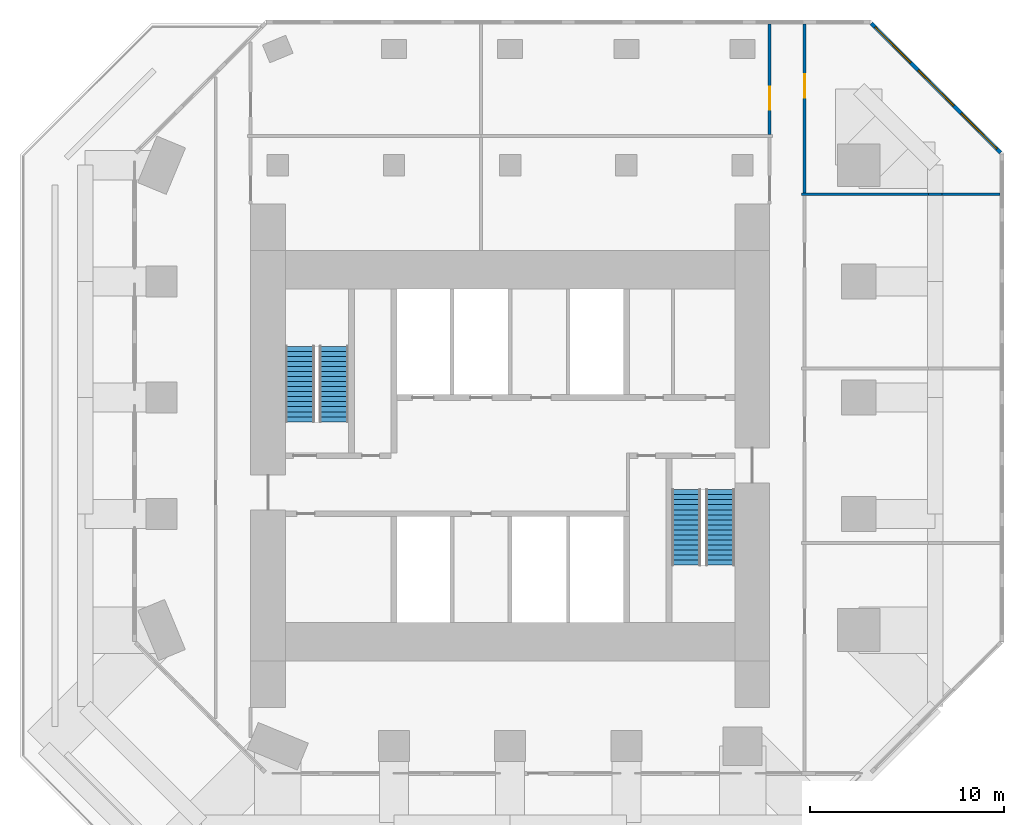
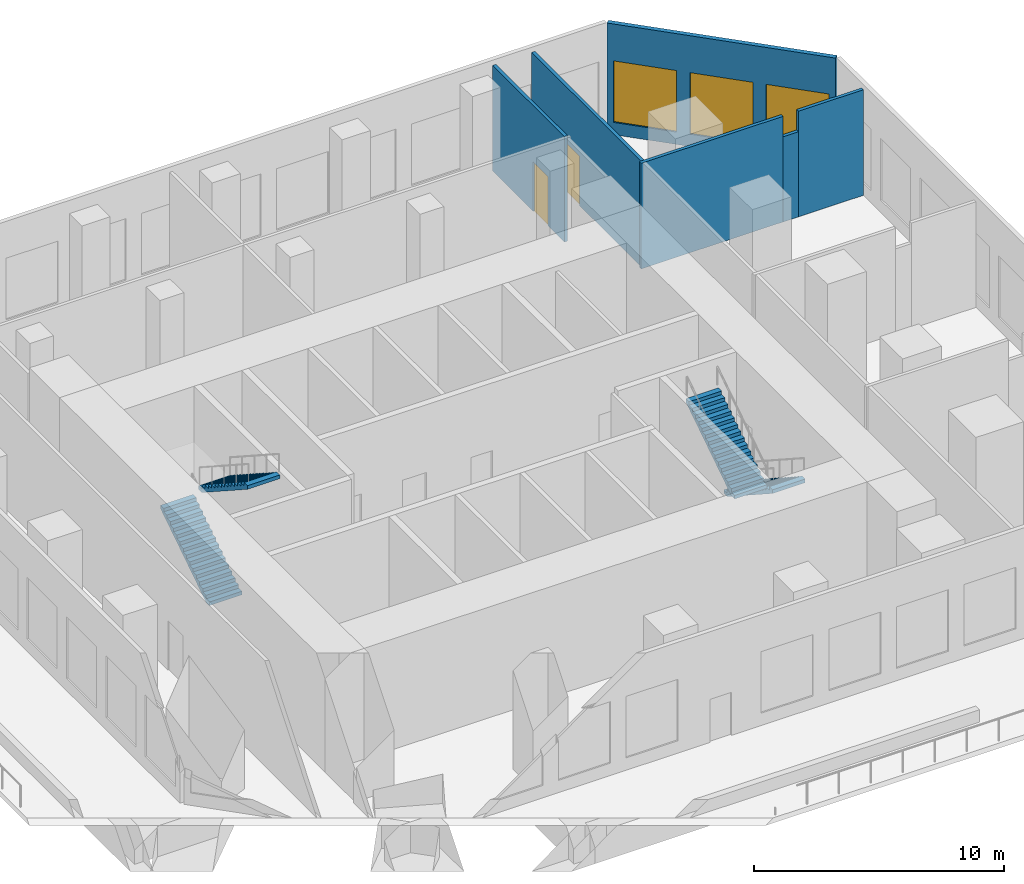
# One storey, part 5 of 6: 6 walls, 4 stair flights, 3 windows, 2 doors, 5 openings, 2 elements without a shape of their own.
"""IFC4 building model written with IfcOpenShell, lengths in metres."""

from ifc_helpers import new_model, si_unit, direction, frame, frame_2d, origin, place, context, subcontext, project, spatial, polyline, rectangle, outline, extrude, material, layer, layer_set, type_object, element, fill, aggregate, save


model = new_model("IFC4")

# Units and contexts
model_context = context("Model", 3, precision=1e-05, world=origin(), true_north=direction((0.0, 1.0)))
body_context = subcontext(model_context, "Body", "Model", "MODEL_VIEW")
ifc_project = project(units=[si_unit("LENGTHUNIT", "METRE"), si_unit("AREAUNIT", "SQUARE_METRE"), si_unit("VOLUMEUNIT", "CUBIC_METRE"), si_unit("PLANEANGLEUNIT", "RADIAN"), si_unit("MASSUNIT", "GRAM", prefix="KILO")], contexts=[model_context])

# Site, building, storey
site_placement = place(None, origin())
site = spatial("IfcSite", under=ifc_project, at=site_placement, CompositionType="ELEMENT")
building_placement = place(site_placement, origin())
building = spatial("IfcBuilding", under=site, at=building_placement, Name="Highveld Stack Headquarters", CompositionType="ELEMENT")
storey_placement = place(building_placement, frame((0.0, 0.0, 239.60009765625)))
storey = spatial("IfcBuildingStorey", under=building, at=storey_placement, Name="L59", CompositionType="ELEMENT", Elevation=239.60009765625)

# Wall, opening, door
ifc_material_1 = material(Name="Concrete blockwork, plastered", Category="masonry")
ifc_layer_1 = layer(ifc_material_1, 0.14990234375)
ifc_layer_set_1 = layer_set([ifc_layer_1], Name="Concrete blockwork, plastered")
wall_type_1 = type_object("IfcWallType", Name="FIRE PARTITION 150 BLOCKWORK", PredefinedType="PARTITIONING", material=ifc_layer_set_1)
wall_1_placement = place(storey_placement, frame((19.39990234375, 19.574951171875, 0.0), z_axis=(0.0, 0.0, 1.0), x_axis=(0.0, 1.0, 0.0)))
wall_1 = element("IfcWall", 1, at=wall_1_placement, inside=storey, type_object=wall_type_1, Name="Partition office neighbourhood L59", PredefinedType="PARTITIONING", context=body_context, shape_type="SweptSolid", body=[
    extrude(rectangle(XDim=5.72509765625, YDim=0.14990234375, at=frame_2d((2.862548828125, 0.0))), origin(), (0.0, 0.0, 1.0), 5.14990234375),
])
opening_1_placement = place(wall_1_placement, frame((1.284912109375, 0.0, 0.0)))
opening_1 = element("IfcOpeningElement", 2, at=opening_1_placement, cuts=wall_1, Name="Opening L59-19", PredefinedType="OPENING", context=body_context, shape_type="SweptSolid", body=[
    extrude(rectangle(XDim=1.199951171875, YDim=2.39990234375, at=frame_2d((0.60009765625, 1.199951171875))), frame((0.0, 0.0849609375, 0.0), z_axis=(0.0, -1.0, 0.0), x_axis=(1.0, 0.0, 0.0)), (0.0, 0.0, 1.0), 0.169921875),
])
ifc_material_2 = material(Name="Steel fire door", Category="steel")
door_type = type_object("IfcDoorType", Name="PLANT FIRE DOOR D7 1200x2400", OperationType="SINGLE_SWING_LEFT", PredefinedType="DOOR", material=ifc_material_2)
door_1_placement = place(opening_1_placement, origin())
door_1 = element("IfcDoor", 3, at=door_1_placement, inside=storey, type_object=door_type, Name="Plant room door L59", OperationType="SINGLE_SWING_LEFT", OverallHeight=2.39990234375, OverallWidth=1.199951171875, PredefinedType="DOOR", context=body_context, shape_type="SweptSolid", body=[
    extrude(rectangle(XDim=1.199951171875, YDim=2.39990234375, at=frame_2d((0.60009765625, 1.199951171875))), frame((0.0, 0.02490234375, 0.0), z_axis=(0.0, -1.0, 0.0), x_axis=(1.0, 0.0, 0.0)), (0.0, 0.0, 1.0), 0.050048828125),
])
fill(opening_1, door_1)

wall_2_placement = place(storey_placement, frame((21.199951171875, 16.574951171875, 0.0), z_axis=(0.0, 0.0, 1.0), x_axis=(0.0, 1.0, 0.0)))
wall_2 = element("IfcWall", 4, at=wall_2_placement, inside=storey, type_object=wall_type_1, Name="Partition office neighbourhood L59", PredefinedType="PARTITIONING", context=body_context, shape_type="SweptSolid", body=[
    extrude(rectangle(XDim=8.72509765625, YDim=0.14990234375, at=frame_2d((4.362548828125, 0.0))), origin(), (0.0, 0.0, 1.0), 5.14990234375),
])
opening_2_placement = place(wall_2_placement, frame((4.9150390625, 0.0, 0.0)))
opening_2 = element("IfcOpeningElement", 5, at=opening_2_placement, cuts=wall_2, Name="Opening L59-17", PredefinedType="OPENING", context=body_context, shape_type="SweptSolid", body=[
    extrude(rectangle(XDim=1.199951171875, YDim=2.39990234375, at=frame_2d((0.60009765625, 1.199951171875))), frame((0.0, 0.0849609375, 0.0), z_axis=(0.0, -1.0, 0.0), x_axis=(1.0, 0.0, 0.0)), (0.0, 0.0, 1.0), 0.169921875),
])
door_2_placement = place(opening_2_placement, origin())
door_2 = element("IfcDoor", 6, at=door_2_placement, inside=storey, type_object=door_type, Name="Plant room door L59", OperationType="SINGLE_SWING_RIGHT", OverallHeight=2.39990234375, OverallWidth=1.199951171875, PredefinedType="DOOR", context=body_context, shape_type="SweptSolid", body=[
    extrude(rectangle(XDim=1.199951171875, YDim=2.39990234375, at=frame_2d((0.60009765625, 1.199951171875))), frame((0.0, 0.02490234375, 0.0), z_axis=(0.0, -1.0, 0.0), x_axis=(1.0, 0.0, 0.0)), (0.0, 0.0, 1.0), 0.050048828125),
])
fill(opening_2, door_2)

# Walls
wall_3_placement = place(storey_placement, frame((21.050048828125, 16.5, 0.0), z_axis=(0.0, 0.0, 1.0), x_axis=(1.0, 0.0, 0.0)))
element("IfcWall", 7, at=wall_3_placement, inside=storey, type_object=wall_type_1, Name="Partition office neighbourhood L59", PredefinedType="PARTITIONING", context=body_context, shape_type="SweptSolid", body=[
    extrude(rectangle(XDim=6.5400390625, YDim=0.14990234375, at=frame_2d((3.27001953125, 0.0))), origin(), (0.0, 0.0, 1.0), 5.14990234375),
])
wall_4_placement = place(storey_placement, frame((27.590087890625, 16.5, 0.0), z_axis=(0.0, 0.0, 1.0), x_axis=(1.0, 0.0, 0.0)))
element("IfcWall", 8, at=wall_4_placement, inside=storey, type_object=wall_type_1, Name="Partition office neighbourhood L59", PredefinedType="PARTITIONING", context=body_context, shape_type="SweptSolid", body=[
    extrude(rectangle(XDim=0.719970703125, YDim=0.14990234375, at=frame_2d((0.35986328125, 0.0))), origin(), (0.0, 0.0, 1.0), 4.14990234375),
])
wall_5_placement = place(storey_placement, frame((28.31005859375, 16.5, 0.0), z_axis=(0.0, 0.0, 1.0), x_axis=(1.0, 0.0, 0.0)))
element("IfcWall", 9, at=wall_5_placement, inside=storey, type_object=wall_type_1, Name="Partition office neighbourhood L59", PredefinedType="PARTITIONING", context=body_context, shape_type="SweptSolid", body=[
    extrude(rectangle(XDim=2.989990234375, YDim=0.14990234375, at=frame_2d((1.4951171875, 0.0))), origin(), (0.0, 0.0, 1.0), 5.14990234375),
])

# Wall, openings, windows
ifc_material_3 = material(Name="Concrete C40/50, precast cladding", Category="concrete")
ifc_layer_2 = layer(ifc_material_3, 0.199951171875)
ifc_layer_set_2 = layer_set([ifc_layer_2], Name="Concrete C40/50, precast cladding")
wall_type_2 = type_object("IfcWallType", Name="PRECAST LOUVRE WALL 200", PredefinedType="USERDEFINED", material=ifc_layer_set_2)
wall_6_placement = place(storey_placement, frame((31.329345703125, 18.650634765625, 0.0), z_axis=(0.0, 0.0, 1.0), x_axis=(-0.707106781187, 0.707106781187, 0.0)))
wall_6 = element("IfcWall", 10, at=wall_6_placement, inside=storey, type_object=wall_type_2, Name="Precast louvre wall L59 NE", ObjectType="PRECAST CLADDING", PredefinedType="USERDEFINED", context=body_context, shape_type="SweptSolid", body=[
    extrude(rectangle(XDim=9.445068359375, YDim=0.199951171875, at=frame_2d((4.72265625, 0.0))), origin(), (0.0, 0.0, 1.0), 5.39990234375),
])
opening_3_placement = place(wall_6_placement, frame((0.274169921875, 0.0, 0.60009765625)))
opening_3 = element("IfcOpeningElement", 11, at=opening_3_placement, cuts=wall_6, Name="Opening L2", PredefinedType="OPENING", context=body_context, shape_type="SweptSolid", body=[
    extrude(rectangle(XDim=2.60009765625, YDim=3.0, at=frame_2d((1.300048828125, 1.5))), frame((0.0, 0.10986328125, 0.0), z_axis=(0.0, -1.0, 0.0), x_axis=(1.0, 0.0, 0.0)), (0.0, 0.0, 1.0), 0.219970703125),
])
opening_4_placement = place(wall_6_placement, frame((3.422607421875, 0.0, 0.60009765625)))
opening_4 = element("IfcOpeningElement", 12, at=opening_4_placement, cuts=wall_6, Name="Opening L2", PredefinedType="OPENING", context=body_context, shape_type="SweptSolid", body=[
    extrude(rectangle(XDim=2.60009765625, YDim=3.0, at=frame_2d((1.300048828125, 1.5))), frame((0.0, 0.10986328125, 0.0), z_axis=(0.0, -1.0, 0.0), x_axis=(1.0, 0.0, 0.0)), (0.0, 0.0, 1.0), 0.219970703125),
])
opening_5_placement = place(wall_6_placement, frame((6.57080078125, 0.0, 0.60009765625)))
opening_5 = element("IfcOpeningElement", 13, at=opening_5_placement, cuts=wall_6, Name="Opening L2", PredefinedType="OPENING", context=body_context, shape_type="SweptSolid", body=[
    extrude(rectangle(XDim=2.60009765625, YDim=3.0, at=frame_2d((1.300048828125, 1.5))), frame((0.0, 0.10986328125, 0.0), z_axis=(0.0, -1.0, 0.0), x_axis=(1.0, 0.0, 0.0)), (0.0, 0.0, 1.0), 0.219970703125),
])
ifc_material_4 = material(Name="Aluminium bronze anodised", Category="aluminium")
window_type = type_object("IfcWindowType", Name="LOUVRE L2 2400x3000 CHAMFER", PartitioningType="SINGLE_PANEL", PredefinedType="USERDEFINED", material=ifc_material_4)
window_1_placement = place(opening_3_placement, origin())
window_1 = element("IfcWindow", 14, at=window_1_placement, inside=storey, type_object=window_type, Name="Louvre L59 NE 1", ObjectType="LOUVRE", OverallHeight=3.0, OverallWidth=2.60009765625, PartitioningType="SINGLE_PANEL", PredefinedType="USERDEFINED", context=body_context, shape_type="SweptSolid", body=[
    extrude(rectangle(XDim=2.60009765625, YDim=3.0, at=frame_2d((1.300048828125, 1.5))), frame((0.0, 0.030029296875, 0.0), z_axis=(0.0, -1.0, 0.0), x_axis=(1.0, 0.0, 0.0)), (0.0, 0.0, 1.0), 0.06005859375),
])
fill(opening_3, window_1)
window_2_placement = place(opening_4_placement, origin())
window_2 = element("IfcWindow", 15, at=window_2_placement, inside=storey, type_object=window_type, Name="Louvre L59 NE 2", ObjectType="LOUVRE", OverallHeight=3.0, OverallWidth=2.60009765625, PartitioningType="SINGLE_PANEL", PredefinedType="USERDEFINED", context=body_context, shape_type="SweptSolid", body=[
    extrude(rectangle(XDim=2.60009765625, YDim=3.0, at=frame_2d((1.300048828125, 1.5))), frame((0.0, 0.030029296875, 0.0), z_axis=(0.0, -1.0, 0.0), x_axis=(1.0, 0.0, 0.0)), (0.0, 0.0, 1.0), 0.06005859375),
])
fill(opening_4, window_2)
window_3_placement = place(opening_5_placement, origin())
window_3 = element("IfcWindow", 16, at=window_3_placement, inside=storey, type_object=window_type, Name="Louvre L59 NE 3", ObjectType="LOUVRE", OverallHeight=3.0, OverallWidth=2.60009765625, PartitioningType="SINGLE_PANEL", PredefinedType="USERDEFINED", context=body_context, shape_type="SweptSolid", body=[
    extrude(rectangle(XDim=2.60009765625, YDim=3.0, at=frame_2d((1.300048828125, 1.5))), frame((0.0, 0.030029296875, 0.0), z_axis=(0.0, -1.0, 0.0), x_axis=(1.0, 0.0, 0.0)), (0.0, 0.0, 1.0), 0.06005859375),
])
fill(opening_5, window_3)

# Stair, stair flights
ifc_material_5 = material(Name="Concrete C40/50, precast", Category="concrete")
stair_type_1 = type_object("IfcStairType", Name="STAIR S1 HALF TURN 1500", PredefinedType="HALF_TURN_STAIR", material=ifc_material_5)
stair_1_placement = place(storey_placement, origin())
stair_1 = element("IfcStair", 17, at=stair_1_placement, inside=storey, type_object=stair_type_1, Name="Stair S1 L59", PredefinedType="HALF_TURN_STAIR")
ifc_material_6 = material(Name="Concrete C40/50, precast", Category="concrete")
stair_flight_type = type_object("IfcStairFlightType", Name="STAIR FLIGHT 1500 PRECAST", PredefinedType="STRAIGHT", material=ifc_material_6)
stair_flight_1_placement = place(storey_placement, frame((-4.85009765625, 4.75, 0.0), z_axis=(0.0, 0.0, 1.0), x_axis=(0.0, 1.0, 0.0)))
stair_flight_1 = element("IfcStairFlight", 18, at=stair_flight_1_placement, type_object=stair_flight_type, Name="S1 flight 1", NumberOfRisers=16, NumberOfTreads=15, PredefinedType="STRAIGHT", RiserHeight=0.16875, TreadLength=0.26, context=body_context, shape_type="SweptSolid", body=[
    extrude(outline(polyline([(0.0, 0.0), (0.0, 0.168701171875), (0.260009765625, 0.168701171875), (0.260009765625, 0.33740234375), (0.52001953125, 0.33740234375), (0.52001953125, 0.50634765625), (0.780029296875, 0.50634765625), (0.780029296875, 0.675048828125), (1.0400390625, 0.675048828125), (1.0400390625, 0.84375), (1.300048828125, 0.84375), (1.300048828125, 1.012451171875), (1.56005859375, 1.012451171875), (1.56005859375, 1.18115234375), (1.820068359375, 1.18115234375), (1.820068359375, 1.35009765625), (2.080078125, 1.35009765625), (2.080078125, 1.518798828125), (2.340087890625, 1.518798828125), (2.340087890625, 1.6875), (2.60009765625, 1.6875), (2.60009765625, 1.856201171875), (2.860107421875, 1.856201171875), (2.860107421875, 2.02490234375), (3.1201171875, 2.02490234375), (3.1201171875, 2.19384765625), (3.3798828125, 2.19384765625), (3.3798828125, 2.362548828125), (3.639892578125, 2.362548828125), (3.639892578125, 2.53125), (3.89990234375, 2.53125), (3.89990234375, 2.699951171875), (3.89990234375, 2.3525390625), (0.275390625, 0.0), (0.0, 0.0)])), frame((0.0, 0.75, 0.0), z_axis=(0.0, -1.0, 0.0), x_axis=(1.0, 0.0, 0.0)), (0.0, 0.0, 1.0), 1.5),
])
stair_flight_2_placement = place(storey_placement, frame((-3.10009765625, 8.64990234375, 2.699951171875), z_axis=(0.0, 0.0, 1.0), x_axis=(0.0, -1.0, 0.0)))
stair_flight_2 = element("IfcStairFlight", 19, at=stair_flight_2_placement, type_object=stair_flight_type, Name="S1 flight 2", NumberOfRisers=16, NumberOfTreads=15, PredefinedType="STRAIGHT", RiserHeight=0.16875, TreadLength=0.26, context=body_context, shape_type="SweptSolid", body=[
    extrude(outline(polyline([(0.0, 0.0), (0.0, 0.168701171875), (0.260009765625, 0.168701171875), (0.260009765625, 0.33740234375), (0.52001953125, 0.33740234375), (0.52001953125, 0.50634765625), (0.780029296875, 0.50634765625), (0.780029296875, 0.675048828125), (1.0400390625, 0.675048828125), (1.0400390625, 0.84375), (1.300048828125, 0.84375), (1.300048828125, 1.012451171875), (1.56005859375, 1.012451171875), (1.56005859375, 1.18115234375), (1.820068359375, 1.18115234375), (1.820068359375, 1.35009765625), (2.080078125, 1.35009765625), (2.080078125, 1.518798828125), (2.340087890625, 1.518798828125), (2.340087890625, 1.6875), (2.60009765625, 1.6875), (2.60009765625, 1.856201171875), (2.860107421875, 1.856201171875), (2.860107421875, 2.02490234375), (3.1201171875, 2.02490234375), (3.1201171875, 2.19384765625), (3.3798828125, 2.19384765625), (3.3798828125, 2.362548828125), (3.639892578125, 2.362548828125), (3.639892578125, 2.53125), (3.89990234375, 2.53125), (3.89990234375, 2.699951171875), (3.89990234375, 2.3525390625), (0.275390625, 0.0), (0.0, 0.0)])), frame((0.0, 0.75, 0.0), z_axis=(0.0, -1.0, 0.0), x_axis=(1.0, 0.0, 0.0)), (0.0, 0.0, 1.0), 1.5),
])
aggregate(stair_1, [stair_flight_1, stair_flight_2])

ifc_material_7 = material(Name="Concrete C40/50, precast", Category="concrete")
stair_type_2 = type_object("IfcStairType", Name="STAIR S2 HALF TURN 1500", PredefinedType="HALF_TURN_STAIR", material=ifc_material_7)
stair_2_placement = place(storey_placement, origin())
stair_2 = element("IfcStair", 20, at=stair_2_placement, inside=storey, type_object=stair_type_2, Name="Stair S2 L59", PredefinedType="HALF_TURN_STAIR")
stair_flight_3_placement = place(storey_placement, frame((16.85009765625, 1.25, 0.0), z_axis=(0.0, 0.0, 1.0), x_axis=(0.0, -1.0, 0.0)))
stair_flight_3 = element("IfcStairFlight", 21, at=stair_flight_3_placement, type_object=stair_flight_type, Name="S2 flight 1", NumberOfRisers=16, NumberOfTreads=15, PredefinedType="STRAIGHT", RiserHeight=0.16875, TreadLength=0.26, context=body_context, shape_type="SweptSolid", body=[
    extrude(outline(polyline([(0.0, 0.0), (0.0, 0.168701171875), (0.260009765625, 0.168701171875), (0.260009765625, 0.33740234375), (0.52001953125, 0.33740234375), (0.52001953125, 0.50634765625), (0.780029296875, 0.50634765625), (0.780029296875, 0.675048828125), (1.0400390625, 0.675048828125), (1.0400390625, 0.84375), (1.300048828125, 0.84375), (1.300048828125, 1.012451171875), (1.56005859375, 1.012451171875), (1.56005859375, 1.18115234375), (1.820068359375, 1.18115234375), (1.820068359375, 1.35009765625), (2.080078125, 1.35009765625), (2.080078125, 1.518798828125), (2.340087890625, 1.518798828125), (2.340087890625, 1.6875), (2.60009765625, 1.6875), (2.60009765625, 1.856201171875), (2.860107421875, 1.856201171875), (2.860107421875, 2.02490234375), (3.1201171875, 2.02490234375), (3.1201171875, 2.19384765625), (3.3798828125, 2.19384765625), (3.3798828125, 2.362548828125), (3.639892578125, 2.362548828125), (3.639892578125, 2.53125), (3.89990234375, 2.53125), (3.89990234375, 2.699951171875), (3.89990234375, 2.3525390625), (0.275390625, 0.0), (0.0, 0.0)])), frame((0.0, 0.75, 0.0), z_axis=(0.0, -1.0, 0.0), x_axis=(1.0, 0.0, 0.0)), (0.0, 0.0, 1.0), 1.5),
])
stair_flight_4_placement = place(storey_placement, frame((15.10009765625, -2.64990234375, 2.699951171875), z_axis=(0.0, 0.0, 1.0), x_axis=(0.0, 1.0, 0.0)))
stair_flight_4 = element("IfcStairFlight", 22, at=stair_flight_4_placement, type_object=stair_flight_type, Name="S2 flight 2", NumberOfRisers=16, NumberOfTreads=15, PredefinedType="STRAIGHT", RiserHeight=0.16875, TreadLength=0.26, context=body_context, shape_type="SweptSolid", body=[
    extrude(outline(polyline([(0.0, 0.0), (0.0, 0.168701171875), (0.260009765625, 0.168701171875), (0.260009765625, 0.33740234375), (0.52001953125, 0.33740234375), (0.52001953125, 0.50634765625), (0.780029296875, 0.50634765625), (0.780029296875, 0.675048828125), (1.0400390625, 0.675048828125), (1.0400390625, 0.84375), (1.300048828125, 0.84375), (1.300048828125, 1.012451171875), (1.56005859375, 1.012451171875), (1.56005859375, 1.18115234375), (1.820068359375, 1.18115234375), (1.820068359375, 1.35009765625), (2.080078125, 1.35009765625), (2.080078125, 1.518798828125), (2.340087890625, 1.518798828125), (2.340087890625, 1.6875), (2.60009765625, 1.6875), (2.60009765625, 1.856201171875), (2.860107421875, 1.856201171875), (2.860107421875, 2.02490234375), (3.1201171875, 2.02490234375), (3.1201171875, 2.19384765625), (3.3798828125, 2.19384765625), (3.3798828125, 2.362548828125), (3.639892578125, 2.362548828125), (3.639892578125, 2.53125), (3.89990234375, 2.53125), (3.89990234375, 2.699951171875), (3.89990234375, 2.3525390625), (0.275390625, 0.0), (0.0, 0.0)])), frame((0.0, 0.75, 0.0), z_axis=(0.0, -1.0, 0.0), x_axis=(1.0, 0.0, 0.0)), (0.0, 0.0, 1.0), 1.5),
])
aggregate(stair_2, [stair_flight_3, stair_flight_4])

save(model, "model.ifc")
